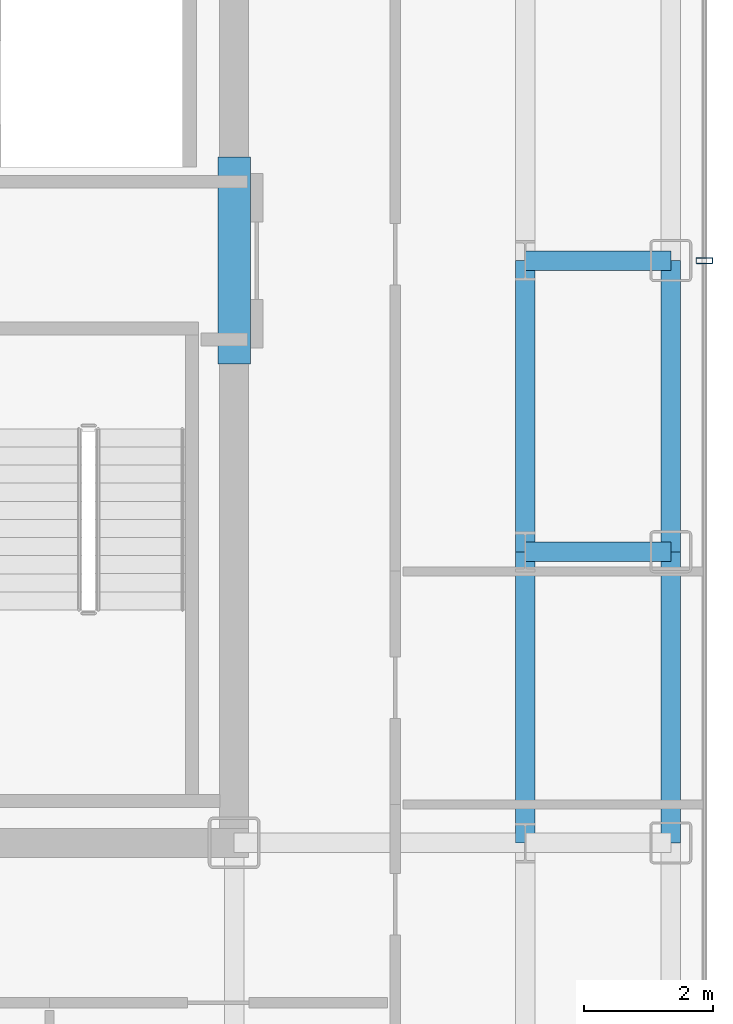
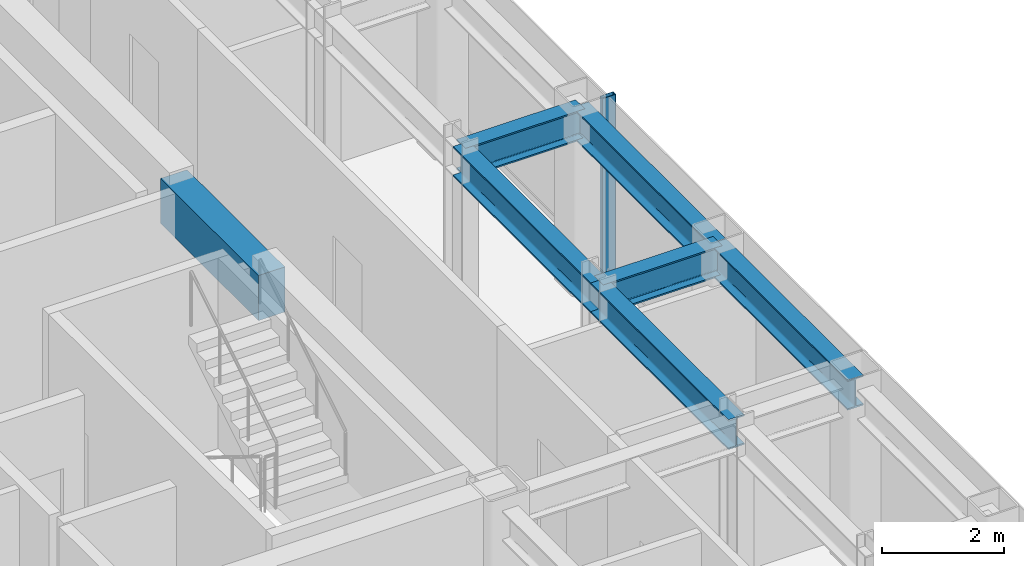
# One storey, part 7 of 18: 7 beams, 1 member, 1 element without a shape of its own.
"""IFC4 building model written with IfcOpenShell, lengths in metres."""

from ifc_helpers import new_model, si_unit, direction, frame, origin, origin_2d, place, context, subcontext, project, spatial, rectangle, hollow_rectangle, i_section, extrude, source, transform, mapped, material, layer, layer_set, material_profile, profile_set, type_object, element, aggregate, save


model = new_model("IFC4")

# Units and contexts
model_context = context("Model", 3, precision=1e-05, world=origin(), true_north=direction((0.0, 1.0)))
body_context = subcontext(model_context, "Body", "Model", "MODEL_VIEW")
ifc_project = project(units=[si_unit("LENGTHUNIT", "METRE"), si_unit("AREAUNIT", "SQUARE_METRE"), si_unit("VOLUMEUNIT", "CUBIC_METRE"), si_unit("PLANEANGLEUNIT", "RADIAN"), si_unit("MASSUNIT", "GRAM", prefix="KILO")], contexts=[model_context])

# Site, building, storey
site_placement = place(None, origin())
site = spatial("IfcSite", under=ifc_project, at=site_placement, CompositionType="ELEMENT")
building_placement = place(site_placement, origin())
building = spatial("IfcBuilding", under=site, at=building_placement, Name="Nefas-Gora Pilgrimage Tower", CompositionType="ELEMENT")
storey_placement = place(building_placement, frame((0.0, 0.0, 268.39990234375)))
storey = spatial("IfcBuildingStorey", under=building, at=storey_placement, Name="L67", CompositionType="ELEMENT", Elevation=268.39990234375)

# Beams
ifc_material_1 = material(Name="Concrete C50/60", Category="concrete")
ifc_material_profile_1 = material_profile(ifc_material_1, rectangle(XDim=0.5, YDim=0.89990234375, at=origin_2d()), Name="RC 500x900")
ifc_profile_set_1 = profile_set([ifc_material_profile_1], Name="Concrete C50/60")
beam_type_1 = type_object("IfcBeamType", Name="BM-LIN-RC900", PredefinedType="LINTEL", material=ifc_profile_set_1)
shared_shape_1 = source(origin(), body_context, "Body", "SweptSolid", [
    extrude(rectangle(XDim=0.5, YDim=0.89990234375, at=origin_2d()), origin(), (0.0, 0.0, 1.0), 3.2001953125),
])
beam_placement = place(storey_placement, frame((11.25, -1.60009765625, 3.10009765625), z_axis=(0.0, 1.0, 0.0), x_axis=(-1.0, 0.0, 0.0)))
element("IfcBeam", 1, at=beam_placement, inside=storey, type_object=beam_type_1, Name="L67 Core Coupling Lintel Beam E", PredefinedType="LINTEL", context=body_context, shape_type="MappedRepresentation", body=[
    mapped(shared_shape_1, transform((0.0, 0.0, 0.0), x_axis=(1.0, 0.0, 0.0), y_axis=(0.0, 1.0, 0.0), z_axis=(0.0, 0.0, 1.0), scale=1.0)),
])
ifc_material_2 = material(Name="Steel S355", Category="steel")
ifc_material_profile_2 = material_profile(ifc_material_2, i_section(OverallWidth=0.300048828125, OverallDepth=0.60009765625, WebThickness=0.015380859375, FlangeThickness=0.030029296875, FilletRadius=0.027099609375, at=origin_2d()), Name="HEB 600")
ifc_profile_set_2 = profile_set([ifc_material_profile_2], Name="Steel S355")
beam_type_2 = type_object("IfcBeamType", Name="BM-SPN-HEB450", PredefinedType="SPANDREL", material=ifc_profile_set_2)
shared_shape_2 = source(origin(), body_context, "Body", "SweptSolid", [
    extrude(i_section(OverallWidth=0.300048828125, OverallDepth=0.60009765625, WebThickness=0.015380859375, FlangeThickness=0.030029296875, FilletRadius=0.027099609375, at=origin_2d()), origin(), (0.0, 0.0, 1.0), 4.5),
])
for number, where, z_axis, x_axis, name in (
    (2, (18.0, -9.0, 3.25), (0.0, 1.0, 0.0), (-1.0, 0.0, 0.0), "L67 SP-03 beam"),
    (3, (18.0, -4.5, 3.25), (0.0, 1.0, 0.0), (-1.0, 0.0, 0.0), "L67 SP-03 beam"),
):
    element("IfcBeam", number, at=place(storey_placement, frame(where, z_axis=z_axis, x_axis=x_axis)), inside=storey, type_object=beam_type_2, Name=name, PredefinedType="SPANDREL", context=body_context, shape_type="MappedRepresentation", body=[
        mapped(shared_shape_2, transform((0.0, 0.0, 0.0), x_axis=(1.0, 0.0, 0.0), y_axis=(0.0, 1.0, 0.0), z_axis=(0.0, 0.0, 1.0), scale=1.0)),
    ])
ifc_material_profile_3 = material_profile(ifc_material_2, i_section(OverallWidth=0.300048828125, OverallDepth=0.60009765625, WebThickness=0.015380859375, FlangeThickness=0.030029296875, FilletRadius=0.027099609375, at=origin_2d()), Name="HEB 600")
ifc_profile_set_3 = profile_set([ifc_material_profile_3], Name="Steel S355")
beam_type_3 = type_object("IfcBeamType", Name="BM-GIR-HEB600", PredefinedType="BEAM", material=ifc_profile_set_3)
shared_shape_3 = source(origin(), body_context, "Body", "SweptSolid", [
    extrude(i_section(OverallWidth=0.300048828125, OverallDepth=0.60009765625, WebThickness=0.015380859375, FlangeThickness=0.030029296875, FilletRadius=0.027099609375, at=origin_2d()), origin(), (0.0, 0.0, 1.0), 4.5),
])
for number, where, z_axis, x_axis, name in (
    (4, (15.75, -9.0, 3.25), (0.0, 1.0, 0.0), (-1.0, 0.0, 0.0), "L67 G-04 beam"),
    (5, (15.75, -4.5, 3.25), (0.0, 1.0, 0.0), (-1.0, 0.0, 0.0), "L67 G-04 beam"),
):
    element("IfcBeam", number, at=place(storey_placement, frame(where, z_axis=z_axis, x_axis=x_axis)), inside=storey, type_object=beam_type_3, Name=name, PredefinedType="BEAM", context=body_context, shape_type="MappedRepresentation", body=[
        mapped(shared_shape_3, transform((0.0, 0.0, 0.0), x_axis=(1.0, 0.0, 0.0), y_axis=(0.0, 1.0, 0.0), z_axis=(0.0, 0.0, 1.0), scale=1.0)),
    ])
shared_shape_4 = source(origin(), body_context, "Body", "SweptSolid", [
    extrude(i_section(OverallWidth=0.300048828125, OverallDepth=0.60009765625, WebThickness=0.015380859375, FlangeThickness=0.030029296875, FilletRadius=0.027099609375, at=origin_2d()), origin(), (0.0, 0.0, 1.0), 2.25),
])
for number, where, z_axis, x_axis, name in (
    (6, (15.75, -4.5, 3.25), (1.0, 0.0, 0.0), (0.0, 1.0, 0.0), "L67 G-04 beam"),
    (7, (15.75, 0.0, 3.25), (1.0, 0.0, 0.0), (0.0, 1.0, 0.0), "L67 G-04 beam"),
):
    element("IfcBeam", number, at=place(storey_placement, frame(where, z_axis=z_axis, x_axis=x_axis)), inside=storey, type_object=beam_type_3, Name=name, PredefinedType="BEAM", context=body_context, shape_type="MappedRepresentation", body=[
        mapped(shared_shape_4, transform((0.0, 0.0, 0.0), x_axis=(1.0, 0.0, 0.0), y_axis=(0.0, 1.0, 0.0), z_axis=(0.0, 0.0, 1.0), scale=1.0)),
    ])

# Curtain wall, member
ifc_material_3 = material(Name="Dark ceramic-fritted solar-control aluminium-glass curtain wall", Category="aluminium")
ifc_layer = layer(ifc_material_3, 0.219970703125)
ifc_layer_set = layer_set([ifc_layer], Name="Dark ceramic-fritted solar-control aluminium-glass curtain wall")
curtain_wall_type = type_object("IfcCurtainWallType", Name="CW-SYS-4", PredefinedType="NOTDEFINED", material=ifc_layer_set)
curtain_wall_placement = place(storey_placement, origin())
curtain_wall = element("IfcCurtainWall", 8, at=curtain_wall_placement, inside=storey, type_object=curtain_wall_type, Name="L67 Unitised Curtain Wall CW4", PredefinedType="NOTDEFINED")
ifc_material_4 = material(Name="Anodised architectural aluminium", Category="aluminium")
ifc_material_profile_4 = material_profile(ifc_material_4, hollow_rectangle(XDim=0.090087890625, YDim=0.260009765625, WallThickness=0.006103515625, InnerFilletRadius=0.006103515625, OuterFilletRadius=0.011962890625, at=origin_2d()), Name="ALU MULLION 90x260")
ifc_profile_set_4 = profile_set([ifc_material_profile_4], Name="Anodised architectural aluminium")
member_type = type_object("IfcMemberType", Name="CWM-MUL-4", PredefinedType="MULLION", material=ifc_profile_set_4)
shared_shape_5 = source(origin(), body_context, "Body", "SweptSolid", [
    extrude(hollow_rectangle(XDim=0.090087890625, YDim=0.260009765625, WallThickness=0.006103515625, InnerFilletRadius=0.006103515625, OuterFilletRadius=0.011962890625, at=origin_2d()), origin(), (0.0, 0.0, 1.0), 3.550048828125),
])
member_placement = place(storey_placement, frame((18.52001953125, 0.0, 0.0), z_axis=(0.0, 0.0, 1.0), x_axis=(0.0, 1.0, 0.0)))
member = element("IfcMember", 9, at=member_placement, type_object=member_type, Name="CW4 Mullion 2", PredefinedType="MULLION", context=body_context, shape_type="MappedRepresentation", body=[
    mapped(shared_shape_5, transform((0.0, 0.0, 0.0), x_axis=(1.0, 0.0, 0.0), y_axis=(0.0, 1.0, 0.0), z_axis=(0.0, 0.0, 1.0), scale=1.0)),
])
aggregate(curtain_wall, [member])

save(model, "model.ifc")
